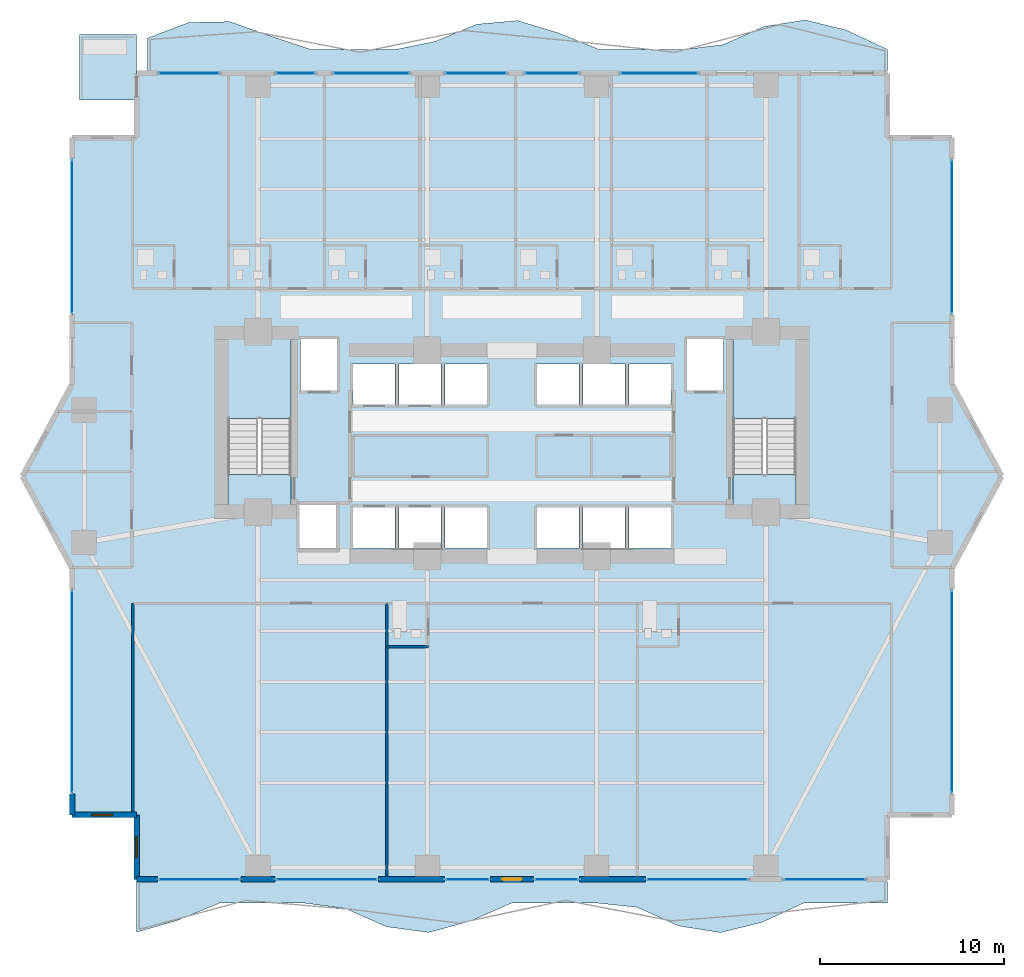
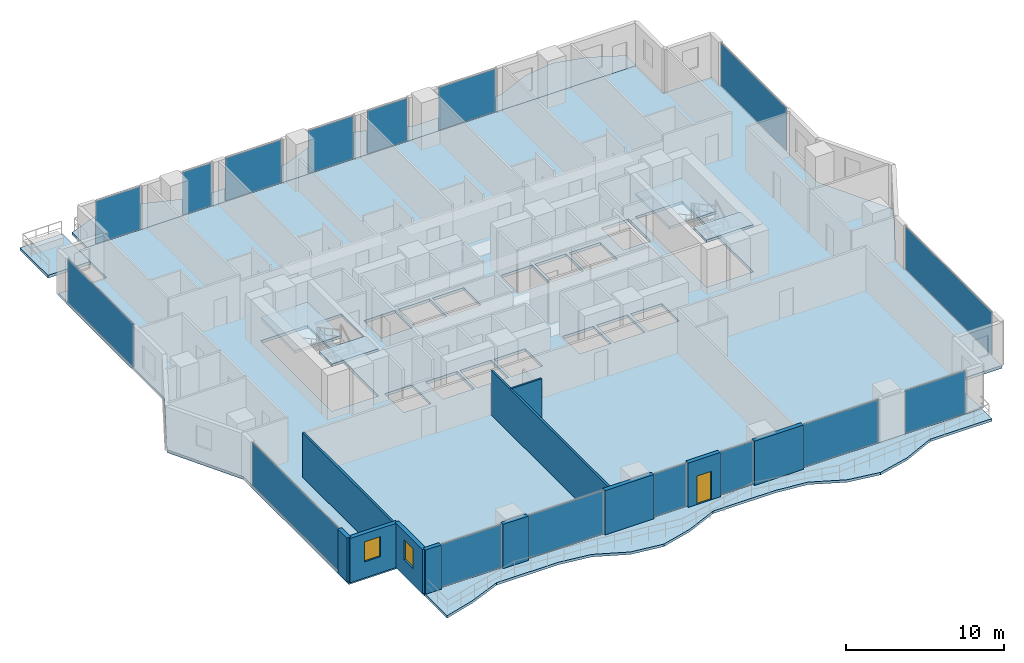
# One storey, part 20 of 29: 16 plates, 11 walls, 8 slabs, 2 windows, 1 door, 3 openings, 18 elements without a shape of their own.
"""IFC4 building model written with IfcOpenShell, lengths in metres."""

from ifc_helpers import new_model, si_unit, direction, frame, frame_2d, origin, origin_2d, place, context, subcontext, project, spatial, polyline, rectangle, outline, extrude, material, layer, layer_set, type_object, element, fill, aggregate, save


model = new_model("IFC4")

# Units and contexts
model_context = context("Model", 3, precision=1e-05, world=origin(), true_north=direction((0.0, 1.0)))
body_context = subcontext(model_context, "Body", "Model", "MODEL_VIEW")
ifc_project = project(units=[si_unit("LENGTHUNIT", "METRE"), si_unit("AREAUNIT", "SQUARE_METRE"), si_unit("VOLUMEUNIT", "CUBIC_METRE"), si_unit("PLANEANGLEUNIT", "RADIAN"), si_unit("MASSUNIT", "GRAM", prefix="KILO")], contexts=[model_context])

# Site, building, storey
site_placement = place(None, origin())
site = spatial("IfcSite", under=ifc_project, at=site_placement, CompositionType="ELEMENT")
building_placement = place(site_placement, origin())
building = spatial("IfcBuilding", under=site, at=building_placement, Name="Zuhayl Quay Hotel", CompositionType="ELEMENT")
storey_placement = place(building_placement, frame((0.0, 0.0, 106.60009765625)))
storey = spatial("IfcBuildingStorey", under=building, at=storey_placement, Name="L26", CompositionType="ELEMENT", Elevation=106.60009765625)

# Curtain wall, plate
ifc_material_1 = material(Name="Anodised Aluminium 6063-T6", Category="aluminium")
ifc_layer_1 = layer(ifc_material_1, 0.179931640625, Name="Anodised Aluminium 6063-T6", Category="aluminium")
ifc_layer_set_1 = layer_set([ifc_layer_1], Name="Anodised Aluminium 6063-T6")
curtain_wall_type = type_object("IfcCurtainWallType", Name="CW_SYS_Z2", PredefinedType="USERDEFINED", material=ifc_layer_set_1)
curtain_wall_1_placement = place(storey_placement, origin())
curtain_wall_1 = element("IfcCurtainWall", 1, at=curtain_wall_1_placement, inside=storey, type_object=curtain_wall_type, Name="L26 Curtain Wall ENV_L26_E02_CW1", ObjectType="UNITISED CURTAIN WALL", PredefinedType="USERDEFINED")
ifc_material_2 = material(Name="Dark Ceramic-Fritted Solar Glass", Category="glass")
ifc_layer_2 = layer(ifc_material_2, 0.035888671875, Name="Dark Ceramic-Fritted Solar Glass", Category="glass")
ifc_layer_set_2 = layer_set([ifc_layer_2], Name="Dark Ceramic-Fritted Solar Glass")
plate_type = type_object("IfcPlateType", Name="PN_DARK_FRIT_Z1", PredefinedType="CURTAIN_PANEL", material=ifc_layer_set_2)
plate_1_placement = place(storey_placement, frame((-23.89990234375, -5.199951171875, 0.059814453125), z_axis=(0.0, 0.0, 1.0), x_axis=(0.0, 1.0, 0.0)))
plate_1 = element("IfcPlate", 2, at=plate_1_placement, type_object=plate_type, Name="CW-Z2 panel 1.1", PredefinedType="CURTAIN_PANEL", context=body_context, shape_type="SweptSolid", body=[
    extrude(rectangle(XDim=10.969970703125, YDim=0.035888671875, at=origin_2d()), origin(), (0.0, 0.0, 1.0), 3.31005859375),
])
aggregate(curtain_wall_1, [plate_1])

curtain_wall_2_placement = place(storey_placement, origin())
curtain_wall_2 = element("IfcCurtainWall", 3, at=curtain_wall_2_placement, inside=storey, type_object=curtain_wall_type, Name="L26 Curtain Wall ENV_L26_E05_CW1", ObjectType="UNITISED CURTAIN WALL", PredefinedType="USERDEFINED")
plate_2_placement = place(storey_placement, frame((-23.89990234375, 19.52490234375, 0.059814453125), z_axis=(0.0, 0.0, 1.0), x_axis=(0.0, 1.0, 0.0)))
plate_2 = element("IfcPlate", 4, at=plate_2_placement, type_object=plate_type, Name="CW-Z2 panel 1.1", PredefinedType="CURTAIN_PANEL", context=body_context, shape_type="SweptSolid", body=[
    extrude(rectangle(XDim=8.320068359375, YDim=0.035888671875, at=origin_2d()), origin(), (0.0, 0.0, 1.0), 3.31005859375),
])
aggregate(curtain_wall_2, [plate_2])

curtain_wall_3_placement = place(storey_placement, origin())
curtain_wall_3 = element("IfcCurtainWall", 5, at=curtain_wall_3_placement, inside=storey, type_object=curtain_wall_type, Name="L26 Curtain Wall ENV_L26_N_CW1", ObjectType="UNITISED CURTAIN WALL", PredefinedType="USERDEFINED")
plate_3_placement = place(storey_placement, frame((-17.550048828125, 28.39990234375, 0.059814453125), z_axis=(0.0, 0.0, 1.0), x_axis=(1.0, 0.0, 0.0)))
plate_3 = element("IfcPlate", 6, at=plate_3_placement, type_object=plate_type, Name="CW-Z2 panel 1.1", PredefinedType="CURTAIN_PANEL", context=body_context, shape_type="SweptSolid", body=[
    extrude(rectangle(XDim=3.27001953125, YDim=0.035888671875, at=origin_2d()), origin(), (0.0, 0.0, 1.0), 3.31005859375),
])
aggregate(curtain_wall_3, [plate_3])

curtain_wall_4_placement = place(storey_placement, origin())
curtain_wall_4 = element("IfcCurtainWall", 7, at=curtain_wall_4_placement, inside=storey, type_object=curtain_wall_type, Name="L26 Curtain Wall ENV_L26_N_CW2", ObjectType="UNITISED CURTAIN WALL", PredefinedType="USERDEFINED")
plate_4_placement = place(storey_placement, frame((-11.764892578125, 28.39990234375, 0.059814453125), z_axis=(0.0, 0.0, 1.0), x_axis=(1.0, 0.0, 0.0)))
plate_4 = element("IfcPlate", 8, at=plate_4_placement, type_object=plate_type, Name="CW-Z2 panel 1.1", PredefinedType="CURTAIN_PANEL", context=body_context, shape_type="SweptSolid", body=[
    extrude(rectangle(XDim=2.10009765625, YDim=0.035888671875, at=origin_2d()), origin(), (0.0, 0.0, 1.0), 3.31005859375),
])
aggregate(curtain_wall_4, [plate_4])

curtain_wall_5_placement = place(storey_placement, origin())
curtain_wall_5 = element("IfcCurtainWall", 9, at=curtain_wall_5_placement, inside=storey, type_object=curtain_wall_type, Name="L26 Curtain Wall ENV_L26_N_CW3", ObjectType="UNITISED CURTAIN WALL", PredefinedType="USERDEFINED")
plate_5_placement = place(storey_placement, frame((-7.635009765625, 28.39990234375, 0.059814453125), z_axis=(0.0, 0.0, 1.0), x_axis=(1.0, 0.0, 0.0)))
plate_5 = element("IfcPlate", 10, at=plate_5_placement, type_object=plate_type, Name="CW-Z2 panel 1.1", PredefinedType="CURTAIN_PANEL", context=body_context, shape_type="SweptSolid", body=[
    extrude(rectangle(XDim=4.10009765625, YDim=0.035888671875, at=origin_2d()), origin(), (0.0, 0.0, 1.0), 3.31005859375),
])
aggregate(curtain_wall_5, [plate_5])

curtain_wall_6_placement = place(storey_placement, origin())
curtain_wall_6 = element("IfcCurtainWall", 11, at=curtain_wall_6_placement, inside=storey, type_object=curtain_wall_type, Name="L26 Curtain Wall ENV_L26_N_CW4", ObjectType="UNITISED CURTAIN WALL", PredefinedType="USERDEFINED")
plate_6_placement = place(storey_placement, frame((-1.965087890625, 28.39990234375, 0.059814453125), z_axis=(0.0, 0.0, 1.0), x_axis=(1.0, 0.0, 0.0)))
plate_6 = element("IfcPlate", 12, at=plate_6_placement, type_object=plate_type, Name="CW-Z2 panel 1.1", PredefinedType="CURTAIN_PANEL", context=body_context, shape_type="SweptSolid", body=[
    extrude(rectangle(XDim=3.300048828125, YDim=0.035888671875, at=origin_2d()), origin(), (0.0, 0.0, 1.0), 3.31005859375),
])
aggregate(curtain_wall_6, [plate_6])

curtain_wall_7_placement = place(storey_placement, origin())
curtain_wall_7 = element("IfcCurtainWall", 13, at=curtain_wall_7_placement, inside=storey, type_object=curtain_wall_type, Name="L26 Curtain Wall ENV_L26_N_CW5", ObjectType="UNITISED CURTAIN WALL", PredefinedType="USERDEFINED")
plate_7_placement = place(storey_placement, frame((2.1650390625, 28.39990234375, 0.059814453125), z_axis=(0.0, 0.0, 1.0), x_axis=(1.0, 0.0, 0.0)))
plate_7 = element("IfcPlate", 14, at=plate_7_placement, type_object=plate_type, Name="CW-Z2 panel 1.1", PredefinedType="CURTAIN_PANEL", context=body_context, shape_type="SweptSolid", body=[
    extrude(rectangle(XDim=2.89990234375, YDim=0.035888671875, at=origin_2d()), origin(), (0.0, 0.0, 1.0), 3.31005859375),
])
aggregate(curtain_wall_7, [plate_7])

curtain_wall_8_placement = place(storey_placement, origin())
curtain_wall_8 = element("IfcCurtainWall", 15, at=curtain_wall_8_placement, inside=storey, type_object=curtain_wall_type, Name="L26 Curtain Wall ENV_L26_N_CW6", ObjectType="UNITISED CURTAIN WALL", PredefinedType="USERDEFINED")
plate_8_placement = place(storey_placement, frame((8.0, 28.39990234375, 0.059814453125), z_axis=(0.0, 0.0, 1.0), x_axis=(1.0, 0.0, 0.0)))
plate_8 = element("IfcPlate", 16, at=plate_8_placement, type_object=plate_type, Name="CW-Z2 panel 1.1", PredefinedType="CURTAIN_PANEL", context=body_context, shape_type="SweptSolid", body=[
    extrude(rectangle(XDim=4.169921875, YDim=0.035888671875, at=origin_2d()), origin(), (0.0, 0.0, 1.0), 3.31005859375),
])
aggregate(curtain_wall_8, [plate_8])

curtain_wall_9_placement = place(storey_placement, origin())
curtain_wall_9 = element("IfcCurtainWall", 17, at=curtain_wall_9_placement, inside=storey, type_object=curtain_wall_type, Name="L26 Curtain Wall ENV_L26_E11_CW1", ObjectType="UNITISED CURTAIN WALL", PredefinedType="USERDEFINED")
plate_9_placement = place(storey_placement, frame((23.89990234375, 19.52490234375, 0.059814453125), z_axis=(0.0, 0.0, 1.0), x_axis=(0.0, -1.0, 0.0)))
plate_9 = element("IfcPlate", 18, at=plate_9_placement, type_object=plate_type, Name="CW-Z2 panel 1.1", PredefinedType="CURTAIN_PANEL", context=body_context, shape_type="SweptSolid", body=[
    extrude(rectangle(XDim=8.320068359375, YDim=0.035888671875, at=origin_2d()), origin(), (0.0, 0.0, 1.0), 3.31005859375),
])
aggregate(curtain_wall_9, [plate_9])

curtain_wall_10_placement = place(storey_placement, origin())
curtain_wall_10 = element("IfcCurtainWall", 19, at=curtain_wall_10_placement, inside=storey, type_object=curtain_wall_type, Name="L26 Curtain Wall ENV_L26_E14_CW1", ObjectType="UNITISED CURTAIN WALL", PredefinedType="USERDEFINED")
plate_10_placement = place(storey_placement, frame((23.89990234375, -5.199951171875, 0.059814453125), z_axis=(0.0, 0.0, 1.0), x_axis=(0.0, -1.0, 0.0)))
plate_10 = element("IfcPlate", 20, at=plate_10_placement, type_object=plate_type, Name="CW-Z2 panel 1.1", PredefinedType="CURTAIN_PANEL", context=body_context, shape_type="SweptSolid", body=[
    extrude(rectangle(XDim=10.969970703125, YDim=0.035888671875, at=origin_2d()), origin(), (0.0, 0.0, 1.0), 3.31005859375),
])
aggregate(curtain_wall_10, [plate_10])

curtain_wall_11_placement = place(storey_placement, origin())
curtain_wall_11 = element("IfcCurtainWall", 21, at=curtain_wall_11_placement, inside=storey, type_object=curtain_wall_type, Name="L26 Curtain Wall ENV_L26_S_CW1", ObjectType="UNITISED CURTAIN WALL", PredefinedType="USERDEFINED")
plate_11_placement = place(storey_placement, frame((16.985107421875, -15.39990234375, 0.059814453125), z_axis=(0.0, 0.0, 1.0), x_axis=(-1.0, 0.0, 0.0)))
plate_11 = element("IfcPlate", 22, at=plate_11_placement, type_object=plate_type, Name="CW-Z2 panel 1.1", PredefinedType="CURTAIN_PANEL", context=body_context, shape_type="SweptSolid", body=[
    extrude(rectangle(XDim=4.39990234375, YDim=0.035888671875, at=origin_2d()), origin(), (0.0, 0.0, 1.0), 3.31005859375),
])
aggregate(curtain_wall_11, [plate_11])

curtain_wall_12_placement = place(storey_placement, origin())
curtain_wall_12 = element("IfcCurtainWall", 23, at=curtain_wall_12_placement, inside=storey, type_object=curtain_wall_type, Name="L26 Curtain Wall ENV_L26_S_CW2", ObjectType="UNITISED CURTAIN WALL", PredefinedType="USERDEFINED")
plate_12_placement = place(storey_placement, frame((10.06494140625, -15.39990234375, 0.059814453125), z_axis=(0.0, 0.0, 1.0), x_axis=(-1.0, 0.0, 0.0)))
plate_12 = element("IfcPlate", 24, at=plate_12_placement, type_object=plate_type, Name="CW-Z2 panel 1.1", PredefinedType="CURTAIN_PANEL", context=body_context, shape_type="SweptSolid", body=[
    extrude(rectangle(XDim=5.5, YDim=0.035888671875, at=origin_2d()), origin(), (0.0, 0.0, 1.0), 3.31005859375),
])
aggregate(curtain_wall_12, [plate_12])

curtain_wall_13_placement = place(storey_placement, origin())
curtain_wall_13 = element("IfcCurtainWall", 25, at=curtain_wall_13_placement, inside=storey, type_object=curtain_wall_type, Name="L26 Curtain Wall ENV_L26_S_CW3", ObjectType="UNITISED CURTAIN WALL", PredefinedType="USERDEFINED")
plate_13_placement = place(storey_placement, frame((2.427490234375, -15.39990234375, 0.059814453125), z_axis=(0.0, 0.0, 1.0), x_axis=(-1.0, 0.0, 0.0)))
plate_13 = element("IfcPlate", 26, at=plate_13_placement, type_object=plate_type, Name="CW-Z2 panel 1.1", PredefinedType="CURTAIN_PANEL", context=body_context, shape_type="SweptSolid", body=[
    extrude(rectangle(XDim=2.375, YDim=0.035888671875, at=origin_2d()), origin(), (0.0, 0.0, 1.0), 3.31005859375),
])
aggregate(curtain_wall_13, [plate_13])

curtain_wall_14_placement = place(storey_placement, origin())
curtain_wall_14 = element("IfcCurtainWall", 27, at=curtain_wall_14_placement, inside=storey, type_object=curtain_wall_type, Name="L26 Curtain Wall ENV_L26_S_CW4", ObjectType="UNITISED CURTAIN WALL", PredefinedType="USERDEFINED")
plate_14_placement = place(storey_placement, frame((-2.427490234375, -15.39990234375, 0.059814453125), z_axis=(0.0, 0.0, 1.0), x_axis=(-1.0, 0.0, 0.0)))
plate_14 = element("IfcPlate", 28, at=plate_14_placement, type_object=plate_type, Name="CW-Z2 panel 1.1", PredefinedType="CURTAIN_PANEL", context=body_context, shape_type="SweptSolid", body=[
    extrude(rectangle(XDim=2.375, YDim=0.035888671875, at=origin_2d()), origin(), (0.0, 0.0, 1.0), 3.31005859375),
])
aggregate(curtain_wall_14, [plate_14])

curtain_wall_15_placement = place(storey_placement, origin())
curtain_wall_15 = element("IfcCurtainWall", 29, at=curtain_wall_15_placement, inside=storey, type_object=curtain_wall_type, Name="L26 Curtain Wall ENV_L26_S_CW5", ObjectType="UNITISED CURTAIN WALL", PredefinedType="USERDEFINED")
plate_15_placement = place(storey_placement, frame((-10.06494140625, -15.39990234375, 0.059814453125), z_axis=(0.0, 0.0, 1.0), x_axis=(-1.0, 0.0, 0.0)))
plate_15 = element("IfcPlate", 30, at=plate_15_placement, type_object=plate_type, Name="CW-Z2 panel 1.1", PredefinedType="CURTAIN_PANEL", context=body_context, shape_type="SweptSolid", body=[
    extrude(rectangle(XDim=5.5, YDim=0.035888671875, at=origin_2d()), origin(), (0.0, 0.0, 1.0), 3.31005859375),
])
aggregate(curtain_wall_15, [plate_15])

curtain_wall_16_placement = place(storey_placement, origin())
curtain_wall_16 = element("IfcCurtainWall", 31, at=curtain_wall_16_placement, inside=storey, type_object=curtain_wall_type, Name="L26 Curtain Wall ENV_L26_S_CW6", ObjectType="UNITISED CURTAIN WALL", PredefinedType="USERDEFINED")
plate_16_placement = place(storey_placement, frame((-16.985107421875, -15.39990234375, 0.059814453125), z_axis=(0.0, 0.0, 1.0), x_axis=(-1.0, 0.0, 0.0)))
plate_16 = element("IfcPlate", 32, at=plate_16_placement, type_object=plate_type, Name="CW-Z2 panel 1.1", PredefinedType="CURTAIN_PANEL", context=body_context, shape_type="SweptSolid", body=[
    extrude(rectangle(XDim=4.39990234375, YDim=0.035888671875, at=origin_2d()), origin(), (0.0, 0.0, 1.0), 3.31005859375),
])
aggregate(curtain_wall_16, [plate_16])

# Slabs
ifc_material_3 = material(Name="Concrete C45/55", Category="concrete")
ifc_layer_3 = layer(ifc_material_3, 0.195068359375, Name="Concrete C45/55", Category="concrete")
ifc_layer_set_3 = layer_set([ifc_layer_3], Name="Concrete C45/55")
slab_type_1 = type_object("IfcSlabType", Name="SL_BALCONY_195", PredefinedType="FLOOR", material=ifc_layer_set_3)
slab_1_placement = place(storey_placement, frame((0.0, 0.0, -0.195068359375)))
element("IfcSlab", 33, at=slab_1_placement, inside=storey, type_object=slab_type_1, Name="L26 Exterior Rippling Balcony Slab North", PredefinedType="FLOOR", context=body_context, shape_type="SweptSolid", body=[
    extrude(outline(polyline([(-19.800048828125, 28.39990234375), (20.39990234375, 28.39990234375), (20.39990234375, 29.695068359375), (18.166748046875, 30.744384765625), (15.933349609375, 31.293212890625), (13.699951171875, 30.9453125), (11.466796875, 29.951904296875), (9.2333984375, 29.679931640625), (7.0, 29.679931640625), (4.7666015625, 29.679931640625), (2.533203125, 30.588134765625), (0.300048828125, 31.261474609375), (-1.933349609375, 31.061279296875), (-4.166748046875, 30.1318359375), (-6.39990234375, 29.679931640625), (-8.63330078125, 29.679931640625), (-10.86669921875, 29.679931640625), (-13.10009765625, 30.420654296875), (-15.333251953125, 31.204833984375), (-17.566650390625, 31.15625), (-19.800048828125, 30.309814453125), (-19.800048828125, 28.39990234375)])), origin(), (0.0, 0.0, 1.0), 0.195068359375),
])
slab_2_placement = place(storey_placement, frame((0.0, 0.0, -0.195068359375)))
element("IfcSlab", 34, at=slab_2_placement, inside=storey, type_object=slab_type_1, Name="L26 Exterior Rippling Balcony Slab South", PredefinedType="FLOOR", context=body_context, shape_type="SweptSolid", body=[
    extrude(outline(polyline([(-20.39990234375, -18.272705078125), (-18.13330078125, -17.617431640625), (-15.86669921875, -16.679931640625), (-13.60009765625, -16.679931640625), (-11.333251953125, -16.679931640625), (-9.066650390625, -16.984619140625), (-6.800048828125, -17.97900390625), (-4.533203125, -18.28466796875), (-2.2666015625, -17.675048828125), (0.0, -16.679931640625), (2.2666015625, -16.679931640625), (4.533203125, -16.679931640625), (6.800048828125, -16.919189453125), (9.066650390625, -17.933837890625), (11.333251953125, -18.293212890625), (13.60009765625, -17.730712890625), (15.86669921875, -16.679931640625), (18.13330078125, -16.679931640625), (20.39990234375, -16.679931640625), (20.39990234375, -15.39990234375), (-20.39990234375, -15.39990234375), (-20.39990234375, -18.272705078125)])), origin(), (0.0, 0.0, 1.0), 0.195068359375),
])
ifc_layer_4 = layer(ifc_material_3, 0.219970703125, Name="Concrete C45/55", Category="concrete")
ifc_layer_set_4 = layer_set([ifc_layer_4], Name="Concrete C45/55")
slab_type_2 = type_object("IfcSlabType", Name="SL_FLOOR_220", PredefinedType="FLOOR", material=ifc_layer_set_4)
slab_3_placement = place(storey_placement, frame((0.0, 0.0, -0.22021484375)))
element("IfcSlab", 35, at=slab_3_placement, inside=storey, type_object=slab_type_2, Name="L26 Structural Floor Slab", PredefinedType="FLOOR", context=body_context, shape_type="SweptSolid", body=[
    extrude(outline(polyline([(-20.39990234375, -15.39990234375), (20.39990234375, -15.39990234375), (20.39990234375, -11.89990234375), (23.89990234375, -11.89990234375), (23.89990234375, 1.5), (26.60009765625, 6.5), (23.89990234375, 11.5), (23.89990234375, 24.89990234375), (20.39990234375, 24.89990234375), (20.39990234375, 28.39990234375), (-20.39990234375, 28.39990234375), (-20.39990234375, 24.89990234375), (-23.89990234375, 24.89990234375), (-23.89990234375, 11.5), (-26.60009765625, 6.5), (-23.89990234375, 1.5), (-23.89990234375, -11.89990234375), (-20.39990234375, -11.89990234375), (-20.39990234375, -15.39990234375)]), holes=[polyline([(-12.0, 4.949951171875), (-12.0, 13.949951171875), (-15.429931640625, 13.949951171875), (-15.429931640625, 4.949951171875), (-12.0, 4.949951171875)]), polyline([(15.429931640625, 4.949951171875), (15.429931640625, 13.949951171875), (12.0, 13.949951171875), (12.0, 4.949951171875), (15.429931640625, 4.949951171875)]), polyline([(-11.5, 11.14990234375), (-9.5, 11.14990234375), (-9.5, 13.949951171875), (-11.5, 13.949951171875), (-11.5, 11.14990234375)]), polyline([(9.5, 11.14990234375), (11.5, 11.14990234375), (11.5, 13.949951171875), (9.5, 13.949951171875), (9.5, 11.14990234375)]), polyline([(-8.64990234375, 2.60009765625), (-6.35009765625, 2.60009765625), (-6.35009765625, 4.800048828125), (-8.64990234375, 4.800048828125), (-8.64990234375, 2.60009765625)]), polyline([(-6.14990234375, 2.60009765625), (-3.85009765625, 2.60009765625), (-3.85009765625, 4.800048828125), (-6.14990234375, 4.800048828125), (-6.14990234375, 2.60009765625)]), polyline([(-8.64990234375, 10.39990234375), (-6.35009765625, 10.39990234375), (-6.35009765625, 12.60009765625), (-8.64990234375, 12.60009765625), (-8.64990234375, 10.39990234375)]), polyline([(-6.14990234375, 10.39990234375), (-3.85009765625, 10.39990234375), (-3.85009765625, 12.60009765625), (-6.14990234375, 12.60009765625), (-6.14990234375, 10.39990234375)]), polyline([(-3.64990234375, 2.60009765625), (-1.35009765625, 2.60009765625), (-1.35009765625, 4.800048828125), (-3.64990234375, 4.800048828125), (-3.64990234375, 2.60009765625)]), polyline([(1.35009765625, 2.60009765625), (3.64990234375, 2.60009765625), (3.64990234375, 4.800048828125), (1.35009765625, 4.800048828125), (1.35009765625, 2.60009765625)]), polyline([(-3.64990234375, 10.39990234375), (-1.35009765625, 10.39990234375), (-1.35009765625, 12.60009765625), (-3.64990234375, 12.60009765625), (-3.64990234375, 10.39990234375)]), polyline([(1.35009765625, 10.39990234375), (3.64990234375, 10.39990234375), (3.64990234375, 12.60009765625), (1.35009765625, 12.60009765625), (1.35009765625, 10.39990234375)]), polyline([(3.85009765625, 2.60009765625), (6.14990234375, 2.60009765625), (6.14990234375, 4.800048828125), (3.85009765625, 4.800048828125), (3.85009765625, 2.60009765625)]), polyline([(6.35009765625, 2.60009765625), (8.64990234375, 2.60009765625), (8.64990234375, 4.800048828125), (6.35009765625, 4.800048828125), (6.35009765625, 2.60009765625)]), polyline([(3.85009765625, 10.39990234375), (6.14990234375, 10.39990234375), (6.14990234375, 12.60009765625), (3.85009765625, 12.60009765625), (3.85009765625, 10.39990234375)]), polyline([(6.35009765625, 10.39990234375), (8.64990234375, 10.39990234375), (8.64990234375, 12.60009765625), (6.35009765625, 12.60009765625), (6.35009765625, 10.39990234375)]), polyline([(-11.550048828125, 2.550048828125), (-9.550048828125, 2.550048828125), (-9.550048828125, 4.949951171875), (-11.550048828125, 4.949951171875), (-11.550048828125, 2.550048828125)])]), origin(), (0.0, 0.0, 1.0), 0.22021484375),
])

# Stair, slabs
stair_type = type_object("IfcStairType", Name="ST_DOGLEG_TOWER", PredefinedType="HALF_TURN_STAIR", material=ifc_material_3)
stair_1_placement = place(storey_placement, origin())
stair_1 = element("IfcStair", 36, at=stair_1_placement, inside=storey, type_object=stair_type, Name="L26 Smokeproof Exit Stair ST1", PredefinedType="HALF_TURN_STAIR")
ifc_layer_5 = layer(ifc_material_3, 0.199951171875, Name="Concrete C45/55", Category="concrete")
ifc_layer_set_5 = layer_set([ifc_layer_5], Name="Concrete C45/55")
slab_type_3 = type_object("IfcSlabType", Name="SL_STAIR_LANDING_200", PredefinedType="LANDING", material=ifc_layer_set_5)
slab_4_placement = place(storey_placement, frame((0.0, 0.0, 1.625)))
slab_4 = element("IfcSlab", 37, at=slab_4_placement, type_object=slab_type_3, Name="ST1 landing 1", PredefinedType="LANDING", context=body_context, shape_type="SweptSolid", body=[
    extrude(outline(polyline([(-12.0, 9.64990234375), (-12.0, 13.949951171875), (-15.429931640625, 13.949951171875), (-15.429931640625, 9.64990234375), (-12.0, 9.64990234375)])), origin(), (0.0, 0.0, 1.0), 0.199951171875),
])
slab_5_placement = place(storey_placement, frame((0.0, 0.0, 3.449951171875)))
slab_5 = element("IfcSlab", 38, at=slab_5_placement, type_object=slab_type_3, Name="ST1 landing 2", PredefinedType="LANDING", context=body_context, shape_type="SweptSolid", body=[
    extrude(outline(polyline([(-12.0, 4.949951171875), (-12.0, 6.590087890625), (-15.429931640625, 6.590087890625), (-15.429931640625, 4.949951171875), (-12.0, 4.949951171875)])), origin(), (0.0, 0.0, 1.0), 0.199951171875),
])
aggregate(stair_1, [slab_4, slab_5])

stair_2_placement = place(storey_placement, origin())
stair_2 = element("IfcStair", 39, at=stair_2_placement, inside=storey, type_object=stair_type, Name="L26 Smokeproof Exit Stair ST2", PredefinedType="HALF_TURN_STAIR")
slab_6_placement = place(storey_placement, frame((0.0, 0.0, 1.625)))
slab_6 = element("IfcSlab", 40, at=slab_6_placement, type_object=slab_type_3, Name="ST2 landing 1", PredefinedType="LANDING", context=body_context, shape_type="SweptSolid", body=[
    extrude(outline(polyline([(15.429931640625, 9.64990234375), (15.429931640625, 13.949951171875), (12.0, 13.949951171875), (12.0, 9.64990234375), (15.429931640625, 9.64990234375)])), origin(), (0.0, 0.0, 1.0), 0.199951171875),
])
slab_7_placement = place(storey_placement, frame((0.0, 0.0, 3.449951171875)))
slab_7 = element("IfcSlab", 41, at=slab_7_placement, type_object=slab_type_3, Name="ST2 landing 2", PredefinedType="LANDING", context=body_context, shape_type="SweptSolid", body=[
    extrude(outline(polyline([(15.429931640625, 4.949951171875), (15.429931640625, 6.590087890625), (12.0, 6.590087890625), (12.0, 4.949951171875), (15.429931640625, 4.949951171875)])), origin(), (0.0, 0.0, 1.0), 0.199951171875),
])
aggregate(stair_2, [slab_6, slab_7])

# Slab
ifc_layer_6 = layer(ifc_material_3, 0.219970703125, Name="Concrete C45/55", Category="concrete")
ifc_layer_set_6 = layer_set([ifc_layer_6], Name="Concrete C45/55")
slab_type_4 = type_object("IfcSlabType", Name="SL_TERRACE_235", PredefinedType="FLOOR", material=ifc_layer_set_6)
slab_8_placement = place(storey_placement, frame((0.0, 0.0, -0.22021484375)))
element("IfcSlab", 42, at=slab_8_placement, inside=storey, type_object=slab_type_4, Name="L26 Exterior Sky-Terrace Slab L26_SPIRAL_NW", PredefinedType="FLOOR", context=body_context, shape_type="SweptSolid", body=[
    extrude(outline(polyline([(-23.5, 26.949951171875), (-20.39990234375, 26.949951171875), (-20.39990234375, 30.5), (-23.5, 30.5), (-23.5, 26.949951171875)])), origin(), (0.0, 0.0, 1.0), 0.22021484375),
])

# Wall, opening, window
ifc_material_4 = material(Name="Precast concrete C45/55", Category="concrete")
ifc_layer_7 = layer(ifc_material_4, 0.300048828125, Name="Precast concrete C45/55", Category="concrete")
ifc_layer_set_7 = layer_set([ifc_layer_7], Name="Precast concrete C45/55")
wall_type_1 = type_object("IfcWallType", Name="WL_EXT_300", PredefinedType="STANDARD", material=ifc_layer_set_7)
wall_1_placement = place(storey_placement, frame((-20.39990234375, -11.89990234375, 0.0), z_axis=(0.0, 0.0, 1.0), x_axis=(-1.0, 0.0, 0.0)))
wall_1 = element("IfcWall", 43, at=wall_1_placement, inside=storey, type_object=wall_type_1, Name="L26 Exterior Precast Wall ENV_L26_EW01", PredefinedType="STANDARD", context=body_context, shape_type="SweptSolid", body=[
    extrude(rectangle(XDim=3.5, YDim=0.300048828125, at=frame_2d((1.75, 0.0))), origin(), (0.0, 0.0, 1.0), 3.429931640625),
])
opening_1_placement = place(wall_1_placement, frame((1.284912109375, 0.0, 1.25)))
opening_1 = element("IfcOpeningElement", 44, at=opening_1_placement, cuts=wall_1, Name="Opening W01N", PredefinedType="OPENING", context=body_context, shape_type="SweptSolid", body=[
    extrude(rectangle(XDim=1.14990234375, YDim=1.550048828125, at=frame_2d((0.574951171875, 0.77490234375))), frame((0.0, 0.159912109375, 0.0), z_axis=(0.0, -1.0, 0.0), x_axis=(1.0, 0.0, 0.0)), (0.0, 0.0, 1.0), 0.320068359375),
])
window_type = type_object("IfcWindowType", Name="WN_NOTCH_1350", PartitioningType="SINGLE_PANEL", PredefinedType="WINDOW", material=ifc_material_2)
window_1_placement = place(opening_1_placement, origin())
window_1 = element("IfcWindow", 45, at=window_1_placement, inside=storey, type_object=window_type, Name="L26 Corner Notch Window 1", OverallHeight=1.550048828125, OverallWidth=1.14990234375, PartitioningType="SINGLE_PANEL", PredefinedType="WINDOW", context=body_context, shape_type="SweptSolid", body=[
    extrude(rectangle(XDim=1.14990234375, YDim=1.550048828125, at=frame_2d((0.574951171875, 0.77490234375))), frame((0.0, 0.030029296875, 0.0), z_axis=(0.0, -1.0, 0.0), x_axis=(1.0, 0.0, 0.0)), (0.0, 0.0, 1.0), 0.06005859375),
])
fill(opening_1, window_1)

# Walls
wall_2_placement = place(storey_placement, frame((-23.89990234375, -11.89990234375, 0.0), z_axis=(0.0, 0.0, 1.0), x_axis=(0.0, 1.0, 0.0)))
element("IfcWall", 46, at=wall_2_placement, inside=storey, type_object=wall_type_1, Name="L26 Exterior Precast Wall ENV_L26_E02_EW1", PredefinedType="STANDARD", context=body_context, shape_type="SweptSolid", body=[
    extrude(rectangle(XDim=1.14990234375, YDim=0.300048828125, at=frame_2d((0.574951171875, 0.0))), origin(), (0.0, 0.0, 1.0), 3.429931640625),
])
wall_3_placement = place(storey_placement, frame((7.25, -15.39990234375, 0.0), z_axis=(0.0, 0.0, 1.0), x_axis=(-1.0, 0.0, 0.0)))
element("IfcWall", 47, at=wall_3_placement, inside=storey, type_object=wall_type_1, Name="L26 Exterior Precast Wall ENV_L26_S_EW3", PredefinedType="STANDARD", context=body_context, shape_type="SweptSolid", body=[
    extrude(rectangle(XDim=3.570068359375, YDim=0.300048828125, at=frame_2d((1.78515625, 0.0))), origin(), (0.0, 0.0, 1.0), 3.429931640625),
])

# Wall, opening, door
wall_4_placement = place(storey_placement, frame((1.175048828125, -15.39990234375, 0.0), z_axis=(0.0, 0.0, 1.0), x_axis=(-1.0, 0.0, 0.0)))
wall_4 = element("IfcWall", 48, at=wall_4_placement, inside=storey, type_object=wall_type_1, Name="L26 Exterior Precast Wall ENV_L26_S_EW4", PredefinedType="STANDARD", context=body_context, shape_type="SweptSolid", body=[
    extrude(rectangle(XDim=2.35009765625, YDim=0.300048828125, at=frame_2d((1.175048828125, 0.0))), origin(), (0.0, 0.0, 1.0), 3.429931640625),
])
opening_2_placement = place(wall_4_placement, frame((0.64990234375, 0.0, 0.0)))
opening_2 = element("IfcOpeningElement", 49, at=opening_2_placement, cuts=wall_4, Name="Opening DG1", PredefinedType="OPENING", context=body_context, shape_type="SweptSolid", body=[
    extrude(rectangle(XDim=1.050048828125, YDim=2.199951171875, at=frame_2d((0.52490234375, 1.10009765625))), frame((0.0, 0.159912109375, 0.0), z_axis=(0.0, -1.0, 0.0), x_axis=(1.0, 0.0, 0.0)), (0.0, 0.0, 1.0), 0.320068359375),
])
ifc_material_5 = material(Name="Anodised Aluminium and Dark Solar Glass", Category="aluminium")
door_type = type_object("IfcDoorType", Name="DR_EXT_TERR_1050", OperationType="NOTDEFINED", PredefinedType="DOOR", material=ifc_material_5)
door_placement = place(opening_2_placement, origin())
door = element("IfcDoor", 50, at=door_placement, inside=storey, type_object=door_type, Name="L26 South Rippling Balcony Door", OperationType="SINGLE_SWING_RIGHT", OverallHeight=2.199951171875, OverallWidth=1.050048828125, PredefinedType="DOOR", context=body_context, shape_type="SweptSolid", body=[
    extrude(rectangle(XDim=1.050048828125, YDim=2.199951171875, at=frame_2d((0.52490234375, 1.10009765625))), frame((0.0, 0.02490234375, 0.0), z_axis=(0.0, -1.0, 0.0), x_axis=(1.0, 0.0, 0.0)), (0.0, 0.0, 1.0), 0.050048828125),
])
fill(opening_2, door)

# Walls
wall_5_placement = place(storey_placement, frame((-3.679931640625, -15.39990234375, 0.0), z_axis=(0.0, 0.0, 1.0), x_axis=(-1.0, 0.0, 0.0)))
element("IfcWall", 51, at=wall_5_placement, inside=storey, type_object=wall_type_1, Name="L26 Exterior Precast Wall ENV_L26_S_EW5", PredefinedType="STANDARD", context=body_context, shape_type="SweptSolid", body=[
    extrude(rectangle(XDim=3.570068359375, YDim=0.300048828125, at=frame_2d((1.78515625, 0.0))), origin(), (0.0, 0.0, 1.0), 3.429931640625),
])
wall_6_placement = place(storey_placement, frame((-12.8798828125, -15.39990234375, 0.0), z_axis=(0.0, 0.0, 1.0), x_axis=(-1.0, 0.0, 0.0)))
element("IfcWall", 52, at=wall_6_placement, inside=storey, type_object=wall_type_1, Name="L26 Exterior Precast Wall ENV_L26_S_EW6", PredefinedType="STANDARD", context=body_context, shape_type="SweptSolid", body=[
    extrude(rectangle(XDim=1.840087890625, YDim=0.300048828125, at=frame_2d((0.919921875, 0.0))), origin(), (0.0, 0.0, 1.0), 3.429931640625),
])
wall_7_placement = place(storey_placement, frame((-19.25, -15.39990234375, 0.0), z_axis=(0.0, 0.0, 1.0), x_axis=(-1.0, 0.0, 0.0)))
element("IfcWall", 53, at=wall_7_placement, inside=storey, type_object=wall_type_1, Name="L26 Exterior Precast Wall ENV_L26_S_EW7", PredefinedType="STANDARD", context=body_context, shape_type="SweptSolid", body=[
    extrude(rectangle(XDim=1.14990234375, YDim=0.300048828125, at=frame_2d((0.574951171875, 0.0))), origin(), (0.0, 0.0, 1.0), 3.429931640625),
])

# Wall, opening, window
wall_8_placement = place(storey_placement, frame((-20.39990234375, -15.39990234375, 0.0), z_axis=(0.0, 0.0, 1.0), x_axis=(0.0, 1.0, 0.0)))
wall_8 = element("IfcWall", 54, at=wall_8_placement, inside=storey, type_object=wall_type_1, Name="L26 Exterior Precast Wall ENV_L26_EW18", PredefinedType="STANDARD", context=body_context, shape_type="SweptSolid", body=[
    extrude(rectangle(XDim=3.5, YDim=0.300048828125, at=frame_2d((1.75, 0.0))), origin(), (0.0, 0.0, 1.0), 3.429931640625),
])
opening_3_placement = place(wall_8_placement, frame((1.175048828125, 0.0, 1.25)))
opening_3 = element("IfcOpeningElement", 55, at=opening_3_placement, cuts=wall_8, Name="Opening W01N", PredefinedType="OPENING", context=body_context, shape_type="SweptSolid", body=[
    extrude(rectangle(XDim=1.14990234375, YDim=1.550048828125, at=frame_2d((0.574951171875, 0.77490234375))), frame((0.0, 0.159912109375, 0.0), z_axis=(0.0, -1.0, 0.0), x_axis=(1.0, 0.0, 0.0)), (0.0, 0.0, 1.0), 0.320068359375),
])
window_2_placement = place(opening_3_placement, origin())
window_2 = element("IfcWindow", 56, at=window_2_placement, inside=storey, type_object=window_type, Name="L26 Corner Notch Window 18", OverallHeight=1.550048828125, OverallWidth=1.14990234375, PartitioningType="SINGLE_PANEL", PredefinedType="WINDOW", context=body_context, shape_type="SweptSolid", body=[
    extrude(rectangle(XDim=1.14990234375, YDim=1.550048828125, at=frame_2d((0.574951171875, 0.77490234375))), frame((0.0, 0.030029296875, 0.0), z_axis=(0.0, -1.0, 0.0), x_axis=(1.0, 0.0, 0.0)), (0.0, 0.0, 1.0), 0.06005859375),
])
fill(opening_3, window_2)

# Walls
ifc_material_6 = material(Name="Acoustic Gypsum Partition STC-58")
ifc_layer_8 = layer(ifc_material_6, 0.14990234375, Name="Acoustic Gypsum Partition STC-58")
ifc_layer_set_8 = layer_set([ifc_layer_8], Name="Acoustic Gypsum Partition STC-58")
wall_type_2 = type_object("IfcWallType", Name="WL_PART_150", PredefinedType="PARTITIONING", material=ifc_layer_set_8)
wall_9_placement = place(storey_placement, frame((-20.60009765625, -11.840087890625, 0.0), z_axis=(0.0, 0.0, 1.0), x_axis=(0.0, 1.0, 0.0)))
element("IfcWall", 57, at=wall_9_placement, inside=storey, type_object=wall_type_2, Name="L26 Partition IW_L26_SSAL_0_W", PredefinedType="PARTITIONING", context=body_context, shape_type="SweptSolid", body=[
    extrude(rectangle(XDim=11.440185546875, YDim=0.14990234375, at=frame_2d((5.72021484375, 0.0))), origin(), (0.0, 0.0, 1.0), 3.429931640625),
])
wall_10_placement = place(storey_placement, frame((-6.800048828125, -15.340087890625, 0.0), z_axis=(0.0, 0.0, 1.0), x_axis=(0.0, 1.0, 0.0)))
element("IfcWall", 58, at=wall_10_placement, inside=storey, type_object=wall_type_2, Name="L26 Partition IW_L26_SSAL_0_E", PredefinedType="PARTITIONING", context=body_context, shape_type="SweptSolid", body=[
    extrude(rectangle(XDim=14.940185546875, YDim=0.14990234375, at=frame_2d((7.47021484375, 0.0))), origin(), (0.0, 0.0, 1.0), 3.429931640625),
])
ifc_material_7 = material(Name="Moisture-Resistant Sanitarychase Gypsum")
ifc_layer_9 = layer(ifc_material_7, 0.135009765625, Name="Moisture-Resistant Sanitarychase Gypsum")
ifc_layer_set_9 = layer_set([ifc_layer_9], Name="Moisture-Resistant Sanitarychase Gypsum")
wall_type_3 = type_object("IfcWallType", Name="WL_PART_PLUMB_150", PredefinedType="PLUMBINGWALL", material=ifc_layer_set_9)
wall_11_placement = place(storey_placement, frame((-6.800048828125, -2.760009765625, 0.0), z_axis=(0.0, 0.0, 1.0), x_axis=(1.0, 0.0, 0.0)))
element("IfcWall", 59, at=wall_11_placement, inside=storey, type_object=wall_type_3, Name="L26 Partition IW_L26_SU02_BS", PredefinedType="PLUMBINGWALL", context=body_context, shape_type="SweptSolid", body=[
    extrude(rectangle(XDim=2.260009765625, YDim=0.135009765625, at=frame_2d((1.1298828125, 0.0))), origin(), (0.0, 0.0, 1.0), 3.429931640625),
])

save(model, "model.ifc")
